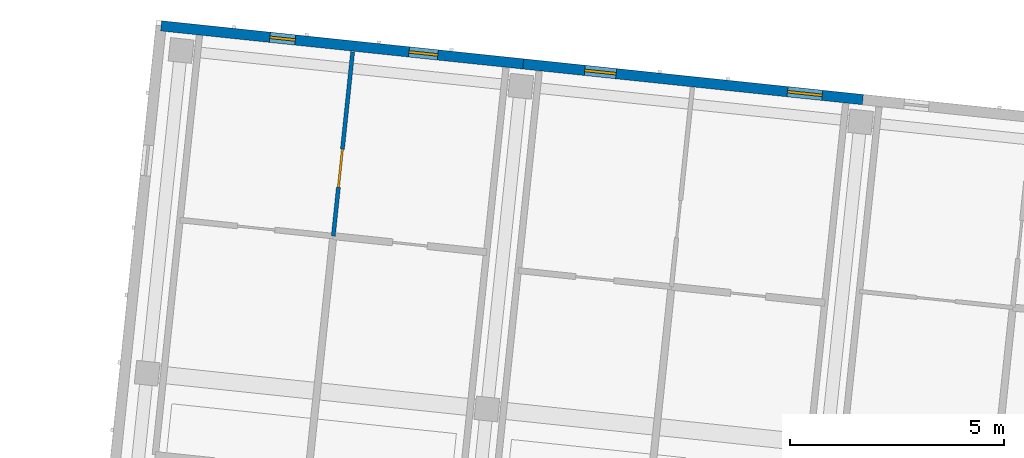
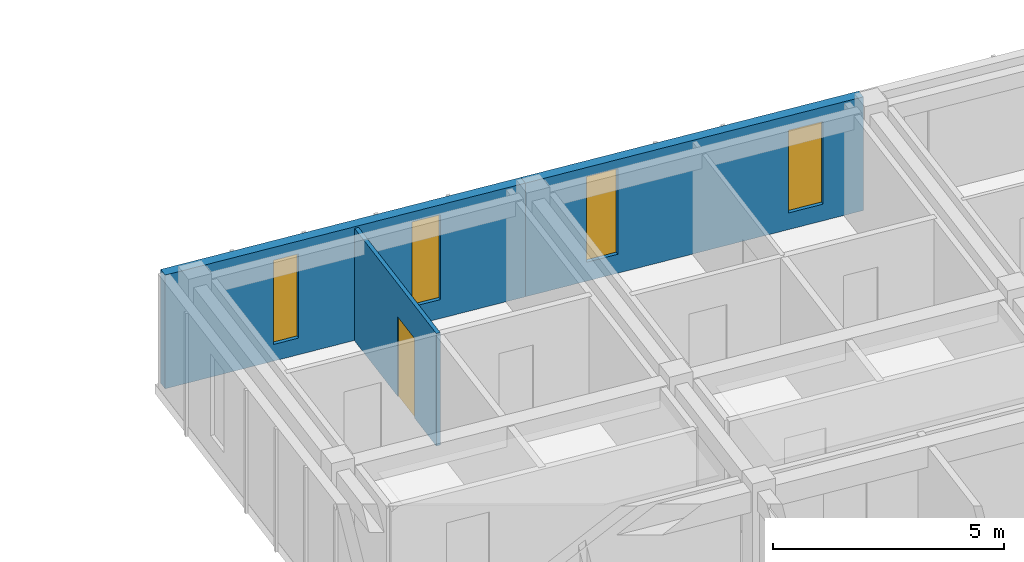
# One storey, part 87 of 127: 4 windows, 3 walls, 1 door, 5 openings.
"""IFC4 building model written with IfcOpenShell, lengths in metres."""

from ifc_helpers import new_model, si_unit, direction, frame, frame_2d, origin, place, context, subcontext, project, spatial, rectangle, extrude, material, layer, layer_set, type_object, element, fill, save


model = new_model("IFC4")

# Units and contexts
model_context = context("Model", 3, precision=1e-05, world=origin(), true_north=direction((0.0, 1.0)))
body_context = subcontext(model_context, "Body", "Model", "MODEL_VIEW")
ifc_project = project(units=[si_unit("LENGTHUNIT", "METRE"), si_unit("AREAUNIT", "SQUARE_METRE"), si_unit("VOLUMEUNIT", "CUBIC_METRE"), si_unit("PLANEANGLEUNIT", "RADIAN"), si_unit("MASSUNIT", "GRAM", prefix="KILO")], contexts=[model_context])

# Site, building, storey
site_placement = place(None, origin())
site = spatial("IfcSite", under=ifc_project, at=site_placement, CompositionType="ELEMENT")
building_placement = place(site_placement, origin())
building = spatial("IfcBuilding", under=site, at=building_placement, Name="Kestramere Prow Commons", CompositionType="ELEMENT")
storey_placement = place(building_placement, frame((0.0, 0.0, 8.39990234375)))
storey = spatial("IfcBuildingStorey", under=building, at=storey_placement, Name="L02", CompositionType="ELEMENT", Elevation=8.39990234375)

# Wall, openings, windows
ifc_material_1 = material(Name="Fluoropolymer Standing-Seam Zinc-Aluminium Cladding", Category="aluminium")
ifc_layer_1 = layer(ifc_material_1, 0.239990234375)
ifc_layer_set_1 = layer_set([ifc_layer_1], Name="Fluoropolymer Standing-Seam Zinc-Aluminium Cladding")
wall_type_1 = type_object("IfcWallType", Name="EW-SEAM-240", PredefinedType="SOLIDWALL", material=ifc_layer_set_1)
wall_1_placement = place(storey_placement, frame((111.58154296875, 114.86962890625, 0.0), z_axis=(0.0, 0.0, 1.0), x_axis=(0.994521760736, -0.104529744196, 0.0)))
wall_1 = element("IfcWall", 1, at=wall_1_placement, inside=storey, type_object=wall_type_1, Name="Block B L02 North Standing-Seam Wall 1", PredefinedType="SOLIDWALL", context=body_context, shape_type="SweptSolid", body=[
    extrude(rectangle(XDim=8.52490234375, YDim=0.239990234375, at=frame_2d((4.262451171875, 0.0))), origin(), (0.0, 0.0, 1.0), 3.0),
])
opening_1_placement = place(wall_1_placement, frame((2.560302734375, 0.0, 0.43994140625)))
opening_1 = element("IfcOpeningElement", 2, at=opening_1_placement, cuts=wall_1, Name="Opening WN-02", PredefinedType="OPENING", context=body_context, shape_type="SweptSolid", body=[
    extrude(rectangle(XDim=0.60009765625, YDim=2.219970703125, at=frame_2d((0.300048828125, 1.10986328125))), frame((0.0, 0.135009765625, 0.0), z_axis=(0.0, -1.0, 0.0), x_axis=(1.0, 0.0, 0.0)), (0.0, 0.0, 1.0), 0.27001953125),
])
opening_2_placement = place(wall_1_placement, frame((5.8369140625, 0.0, 0.5)))
opening_2 = element("IfcOpeningElement", 3, at=opening_2_placement, cuts=wall_1, Name="Opening WN-06", PredefinedType="OPENING", context=body_context, shape_type="SweptSolid", body=[
    extrude(rectangle(XDim=0.679931640625, YDim=2.239990234375, at=frame_2d((0.33984375, 1.1201171875))), frame((0.0, 0.135009765625, 0.0), z_axis=(0.0, -1.0, 0.0), x_axis=(1.0, 0.0, 0.0)), (0.0, 0.0, 1.0), 0.27001953125),
])
ifc_material_2 = material(Name="Low-E Laminated Double Glazing", Category="glass")
window_type_1 = type_object("IfcWindowType", Name="WN-NAR-600A", PartitioningType="SINGLE_PANEL", PredefinedType="WINDOW", material=ifc_material_2)
window_1_placement = place(opening_1_placement, origin())
window_1 = element("IfcWindow", 4, at=window_1_placement, inside=storey, type_object=window_type_1, Name="WN-B-L02-N-0-0", OverallHeight=2.219970703125, OverallWidth=0.60009765625, PartitioningType="SINGLE_PANEL", PredefinedType="WINDOW", context=body_context, shape_type="SweptSolid", body=[
    extrude(rectangle(XDim=0.60009765625, YDim=2.219970703125, at=frame_2d((0.300048828125, 1.10986328125))), frame((0.0, 0.030029296875, 0.0), z_axis=(0.0, -1.0, 0.0), x_axis=(1.0, 0.0, 0.0)), (0.0, 0.0, 1.0), 0.06005859375),
])
fill(opening_1, window_1)
window_type_2 = type_object("IfcWindowType", Name="WN-NAR-680A", PartitioningType="SINGLE_PANEL", PredefinedType="WINDOW", material=ifc_material_2)
window_2_placement = place(opening_2_placement, origin())
window_2 = element("IfcWindow", 5, at=window_2_placement, inside=storey, type_object=window_type_2, Name="WN-B-L02-N-0-1", OverallHeight=2.239990234375, OverallWidth=0.679931640625, PartitioningType="SINGLE_PANEL", PredefinedType="WINDOW", context=body_context, shape_type="SweptSolid", body=[
    extrude(rectangle(XDim=0.679931640625, YDim=2.239990234375, at=frame_2d((0.33984375, 1.1201171875))), frame((0.0, 0.030029296875, 0.0), z_axis=(0.0, -1.0, 0.0), x_axis=(1.0, 0.0, 0.0)), (0.0, 0.0, 1.0), 0.06005859375),
])
fill(opening_2, window_2)

wall_2_placement = place(storey_placement, frame((120.059814453125, 113.978515625, 0.0), z_axis=(0.0, 0.0, 1.0), x_axis=(0.994522329422, -0.104524333444, 0.0)))
wall_2 = element("IfcWall", 6, at=wall_2_placement, inside=storey, type_object=wall_type_1, Name="Block B L02 North Standing-Seam Wall 2", PredefinedType="SOLIDWALL", context=body_context, shape_type="SweptSolid", body=[
    extrude(rectangle(XDim=7.999755859375, YDim=0.239990234375, at=frame_2d((4.0, 0.0))), origin(), (0.0, 0.0, 1.0), 3.0),
])
opening_3_placement = place(wall_2_placement, frame((1.449951171875, 0.0, 0.5)))
opening_3 = element("IfcOpeningElement", 7, at=opening_3_placement, cuts=wall_2, Name="Opening WN-09", PredefinedType="OPENING", context=body_context, shape_type="SweptSolid", body=[
    extrude(rectangle(XDim=0.739990234375, YDim=2.260009765625, at=frame_2d((0.3701171875, 1.1298828125))), frame((0.0, 0.135009765625, 0.0), z_axis=(0.0, -1.0, 0.0), x_axis=(1.0, 0.0, 0.0)), (0.0, 0.0, 1.0), 0.27001953125),
])
opening_4_placement = place(wall_2_placement, frame((6.2236328125, 0.0, 0.43994140625)))
opening_4 = element("IfcOpeningElement", 8, at=opening_4_placement, cuts=wall_2, Name="Opening WN-13", PredefinedType="OPENING", context=body_context, shape_type="SweptSolid", body=[
    extrude(rectangle(XDim=0.820068359375, YDim=2.179931640625, at=frame_2d((0.41015625, 1.08984375))), frame((0.0, 0.135009765625, 0.0), z_axis=(0.0, -1.0, 0.0), x_axis=(1.0, 0.0, 0.0)), (0.0, 0.0, 1.0), 0.27001953125),
])
window_type_3 = type_object("IfcWindowType", Name="WN-NAR-740A", PartitioningType="SINGLE_PANEL", PredefinedType="WINDOW", material=ifc_material_2)
window_3_placement = place(opening_3_placement, origin())
window_3 = element("IfcWindow", 9, at=window_3_placement, inside=storey, type_object=window_type_3, Name="WN-B-L02-N-1-0", OverallHeight=2.260009765625, OverallWidth=0.739990234375, PartitioningType="SINGLE_PANEL", PredefinedType="WINDOW", context=body_context, shape_type="SweptSolid", body=[
    extrude(rectangle(XDim=0.739990234375, YDim=2.260009765625, at=frame_2d((0.3701171875, 1.1298828125))), frame((0.0, 0.030029296875, 0.0), z_axis=(0.0, -1.0, 0.0), x_axis=(1.0, 0.0, 0.0)), (0.0, 0.0, 1.0), 0.06005859375),
])
fill(opening_3, window_3)
window_type_4 = type_object("IfcWindowType", Name="WN-NAR-820A", PartitioningType="DOUBLE_PANEL_VERTICAL", PredefinedType="WINDOW", material=ifc_material_2)
window_4_placement = place(opening_4_placement, origin())
window_4 = element("IfcWindow", 10, at=window_4_placement, inside=storey, type_object=window_type_4, Name="WN-B-L02-N-1-1", OverallHeight=2.179931640625, OverallWidth=0.820068359375, PartitioningType="SINGLE_PANEL", PredefinedType="WINDOW", context=body_context, shape_type="SweptSolid", body=[
    extrude(rectangle(XDim=0.820068359375, YDim=2.179931640625, at=frame_2d((0.41015625, 1.08984375))), frame((0.0, 0.030029296875, 0.0), z_axis=(0.0, -1.0, 0.0), x_axis=(1.0, 0.0, 0.0)), (0.0, 0.0, 1.0), 0.06005859375),
])
fill(opening_4, window_4)

# Wall, opening, door
ifc_material_3 = material(Name="Gypsum Acoustic Drywall")
ifc_layer_2 = layer(ifc_material_3, 0.094970703125)
ifc_layer_set_2 = layer_set([ifc_layer_2], Name="Gypsum Acoustic Drywall")
wall_type_2 = type_object("IfcWallType", Name="W-PART-95", PredefinedType="PARTITIONING", material=ifc_layer_set_2)
wall_3_placement = place(storey_placement, frame((115.614013671875, 109.946044921875, 0.0), z_axis=(0.0, 0.0, 1.0), x_axis=(0.104514950243, 0.994523315552, 0.0)))
wall_3 = element("IfcWall", 11, at=wall_3_placement, inside=storey, type_object=wall_type_2, Name="Interior Partition PW-B-L02-LB-N0", PredefinedType="PARTITIONING", context=body_context, shape_type="SweptSolid", body=[
    extrude(rectangle(XDim=4.340087890625, YDim=0.094970703125, at=frame_2d((2.169921875, 0.0))), origin(), (0.0, 0.0, 1.0), 2.97021484375),
])
opening_5_placement = place(wall_3_placement, frame((1.14990234375, 0.0, 0.0)))
opening_5 = element("IfcOpeningElement", 12, at=opening_5_placement, cuts=wall_3, Name="Opening ID-08", PredefinedType="OPENING", context=body_context, shape_type="SweptSolid", body=[
    extrude(rectangle(XDim=0.89990234375, YDim=2.10009765625, at=frame_2d((0.449951171875, 1.050048828125))), frame((0.0, 0.0625, 0.0), z_axis=(0.0, -1.0, 0.0), x_axis=(1.0, 0.0, 0.0)), (0.0, 0.0, 1.0), 0.125),
])
ifc_material_4 = material(Name="Engineered Timber Flush Door", Category="wood")
door_type = type_object("IfcDoorType", Name="D-RM-01", OperationType="NOTDEFINED", PredefinedType="DOOR", material=ifc_material_4)
door_placement = place(opening_5_placement, origin())
door = element("IfcDoor", 13, at=door_placement, inside=storey, type_object=door_type, Name="Interior Door DR-B-L02-BED-N0", OperationType="SINGLE_SWING_LEFT", OverallHeight=2.10009765625, OverallWidth=0.89990234375, PredefinedType="DOOR", context=body_context, shape_type="SweptSolid", body=[
    extrude(rectangle(XDim=0.89990234375, YDim=2.10009765625, at=frame_2d((0.449951171875, 1.050048828125))), frame((0.0, 0.02490234375, 0.0), z_axis=(0.0, -1.0, 0.0), x_axis=(1.0, 0.0, 0.0)), (0.0, 0.0, 1.0), 0.050048828125),
])
fill(opening_5, door)

save(model, "model.ifc")
